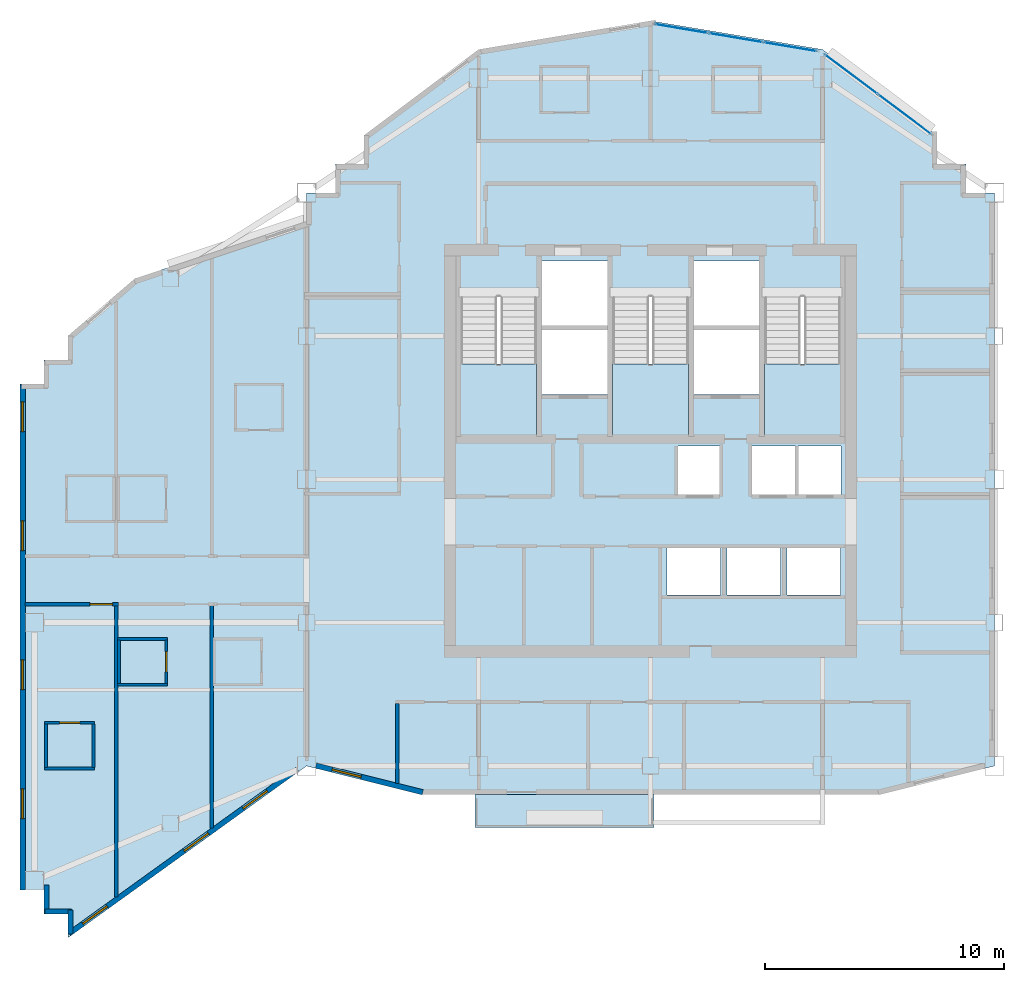
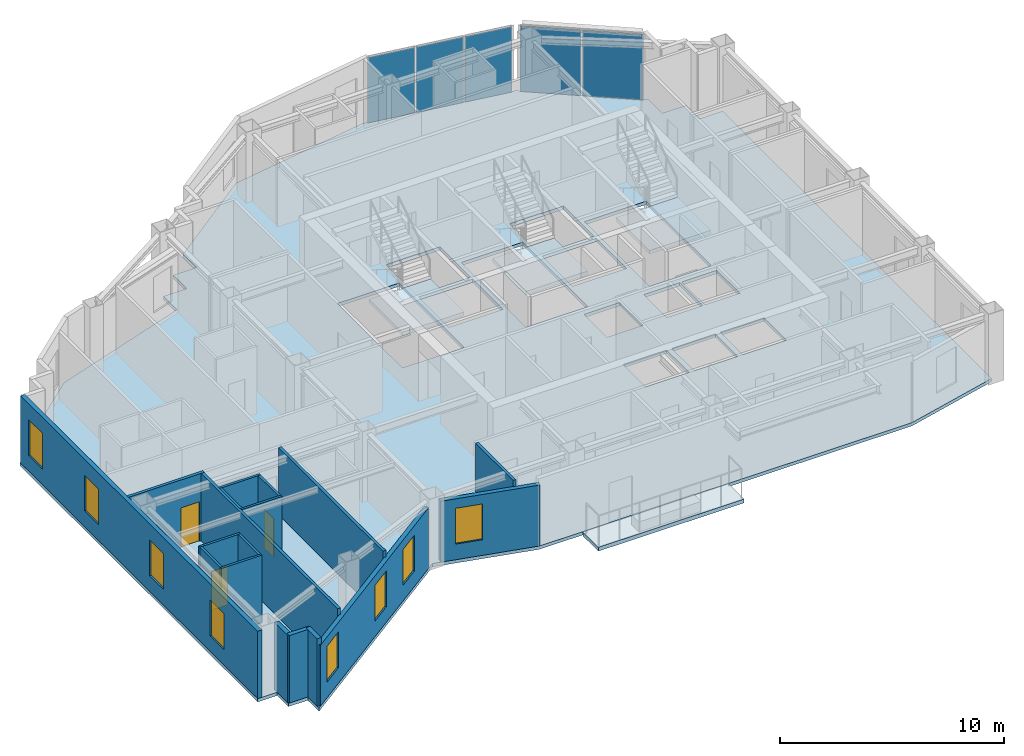
# One storey, part 4 of 11: 18 walls, 8 windows, 5 plates, 5 slabs, 3 doors, 11 openings, 5 elements without a shape of their own.
"""IFC4 building model written with IfcOpenShell, lengths in metres."""

from ifc_helpers import new_model, si_unit, direction, frame, frame_2d, origin, origin_2d, place, context, subcontext, project, spatial, polyline, rectangle, outline, extrude, material, layer, layer_set, type_object, element, fill, aggregate, save


model = new_model("IFC4")

# Units and contexts
model_context = context("Model", 3, precision=1e-05, world=origin(), true_north=direction((0.0, 1.0)))
body_context = subcontext(model_context, "Body", "Model", "MODEL_VIEW")
ifc_project = project(units=[si_unit("LENGTHUNIT", "METRE"), si_unit("AREAUNIT", "SQUARE_METRE"), si_unit("VOLUMEUNIT", "CUBIC_METRE"), si_unit("PLANEANGLEUNIT", "RADIAN"), si_unit("MASSUNIT", "GRAM", prefix="KILO")], contexts=[model_context])

# Site, building, storey
site_placement = place(None, origin())
site = spatial("IfcSite", under=ifc_project, at=site_placement, CompositionType="ELEMENT")
building_placement = place(site_placement, origin())
building = spatial("IfcBuilding", under=site, at=building_placement, Name="Haolan Belvedere Tower", CompositionType="ELEMENT")
storey_placement = place(building_placement, frame((0.0, 0.0, 254.449951171875)))
storey = spatial("IfcBuildingStorey", under=building, at=storey_placement, Name="L64", CompositionType="ELEMENT", Elevation=254.449951171875)

# Curtain wall, plates
ifc_material_1 = material(Name="Anodised champagne-silver aluminium 6063-T6 and Low-E glass", Category="aluminium")
ifc_layer_1 = layer(ifc_material_1, 0.14501953125, Name="Anodised champagne-silver aluminium 6063-T6 and Low-E glass")
ifc_layer_set_1 = layer_set([ifc_layer_1], Name="Anodised champagne-silver aluminium 6063-T6 and Low-E glass")
curtain_wall_type = type_object("IfcCurtainWallType", Name="CW-SYS-05", PredefinedType="NOTDEFINED", material=ifc_layer_set_1)
curtain_wall_1_placement = place(storey_placement, origin())
curtain_wall_1 = element("IfcCurtainWall", 1, at=curtain_wall_1_placement, inside=storey, type_object=curtain_wall_type, Name="L64 CW-SYS-05 ribbon curtain wall 8.1", PredefinedType="NOTDEFINED")
ifc_material_2 = material(Name="Double silver Low-E laminated insulating glass", Category="glass")
ifc_layer_2 = layer(ifc_material_2, 0.02197265625, Name="Double silver Low-E laminated insulating glass")
ifc_layer_set_2 = layer_set([ifc_layer_2], Name="Double silver Low-E laminated insulating glass")
plate_type = type_object("IfcPlateType", Name="CW-SYS-05-PNL", PredefinedType="CURTAIN_PANEL", material=ifc_layer_set_2)
plate_1_placement = place(storey_placement, frame((49.03955078125, 48.8828125, 0.0498046875), z_axis=(0.0, 0.0, 1.0), x_axis=(-0.799997871638, 0.600002837806, 0.0)))
plate_1 = element("IfcPlate", 2, at=plate_1_placement, type_object=plate_type, Name="CW-05 panel 1.1", PredefinedType="CURTAIN_PANEL", context=body_context, shape_type="SweptSolid", body=[
    extrude(rectangle(XDim=2.738037109375, YDim=0.02197265625, at=origin_2d()), origin(), (0.0, 0.0, 1.0), 3.570068359375),
])
plate_2_placement = place(storey_placement, frame((46.805908203125, 50.55810546875, 0.0498046875), z_axis=(0.0, 0.0, 1.0), x_axis=(-0.799997871638, 0.600002837806, 0.0)))
plate_2 = element("IfcPlate", 3, at=plate_2_placement, type_object=plate_type, Name="CW-05 panel 2.1", PredefinedType="CURTAIN_PANEL", context=body_context, shape_type="SweptSolid", body=[
    extrude(rectangle(XDim=2.738037109375, YDim=0.02197265625, at=origin_2d()), origin(), (0.0, 0.0, 1.0), 3.570068359375),
])
aggregate(curtain_wall_1, [plate_1, plate_2])

curtain_wall_2_placement = place(storey_placement, origin())
curtain_wall_2 = element("IfcCurtainWall", 4, at=curtain_wall_2_placement, inside=storey, type_object=curtain_wall_type, Name="L64 CW-SYS-05 ribbon curtain wall 9.1", PredefinedType="NOTDEFINED")
plate_3_placement = place(storey_placement, frame((44.257568359375, 51.712158203125, 0.0498046875), z_axis=(0.0, 0.0, 1.0), x_axis=(-0.98639276122, 0.164405962825, 0.0)))
plate_3 = element("IfcPlate", 5, at=plate_3_placement, type_object=plate_type, Name="CW-05 panel 1.1", PredefinedType="CURTAIN_PANEL", context=body_context, shape_type="SweptSolid", body=[
    extrude(rectangle(XDim=2.24365234375, YDim=0.02197265625, at=origin_2d()), origin(), (0.0, 0.0, 1.0), 3.570068359375),
])
plate_4_placement = place(storey_placement, frame((41.977783203125, 52.09228515625, 0.0498046875), z_axis=(0.0, 0.0, 1.0), x_axis=(-0.98639276122, 0.164405962825, 0.0)))
plate_4 = element("IfcPlate", 6, at=plate_4_placement, type_object=plate_type, Name="CW-05 panel 2.1", PredefinedType="CURTAIN_PANEL", context=body_context, shape_type="SweptSolid", body=[
    extrude(rectangle(XDim=2.270751953125, YDim=0.02197265625, at=origin_2d()), origin(), (0.0, 0.0, 1.0), 3.570068359375),
])
plate_5_placement = place(storey_placement, frame((39.697998046875, 52.47216796875, 0.0498046875), z_axis=(0.0, 0.0, 1.0), x_axis=(-0.98639276122, 0.164405962825, 0.0)))
plate_5 = element("IfcPlate", 7, at=plate_5_placement, type_object=plate_type, Name="CW-05 panel 3.1", PredefinedType="CURTAIN_PANEL", context=body_context, shape_type="SweptSolid", body=[
    extrude(rectangle(XDim=2.24365234375, YDim=0.02197265625, at=origin_2d()), origin(), (0.0, 0.0, 1.0), 3.570068359375),
])
aggregate(curtain_wall_2, [plate_3, plate_4, plate_5])

# Slabs
ifc_material_3 = material(Name="Concrete C40/50", Category="concrete")
ifc_layer_3 = layer(ifc_material_3, 0.2099609375, Name="Concrete C40/50")
ifc_layer_set_3 = layer_set([ifc_layer_3], Name="Concrete C40/50")
slab_type_1 = type_object("IfcSlabType", Name="SL-BAL-210", PredefinedType="FLOOR", material=ifc_layer_set_3)
slab_1_placement = place(storey_placement, frame((0.0, 0.0, -0.22998046875)))
element("IfcSlab", 8, at=slab_1_placement, inside=storey, type_object=slab_type_1, Name="L64 structural tree-planter balcony slab BAL-L64-S1", PredefinedType="FLOOR", context=body_context, shape_type="SweptSolid", body=[
    extrude(outline(polyline([(31.050048828125, 19.02001953125), (38.550048828125, 19.02001953125), (38.550048828125, 20.39990234375), (31.050048828125, 20.39990234375), (31.050048828125, 19.02001953125)])), origin(), (0.0, 0.0, 1.0), 0.2099609375),
])
ifc_layer_4 = layer(ifc_material_3, 0.179931640625, Name="Concrete C40/50")
ifc_layer_set_4 = layer_set([ifc_layer_4], Name="Concrete C40/50")
slab_type_2 = type_object("IfcSlabType", Name="SL-FLR-180", PredefinedType="FLOOR", material=ifc_layer_set_4)
slab_2_placement = place(storey_placement, frame((0.0, 0.0, -0.179931640625)))
element("IfcSlab", 9, at=slab_2_placement, inside=storey, type_object=slab_type_2, Name="L64 structural floor slab", PredefinedType="FLOOR", context=body_context, shape_type="SweptSolid", body=[
    extrude(outline(polyline([(24.0, 21.60009765625), (28.800048828125, 20.39990234375), (48.0, 20.39990234375), (52.800048828125, 21.60009765625), (52.800048828125, 45.60009765625), (51.60009765625, 45.60009765625), (51.60009765625, 46.800048828125), (50.39990234375, 46.800048828125), (50.39990234375, 48.0), (45.60009765625, 51.60009765625), (38.39990234375, 52.800048828125), (31.199951171875, 51.60009765625), (26.39990234375, 48.0), (26.39990234375, 46.800048828125), (25.199951171875, 46.800048828125), (25.199951171875, 45.60009765625), (24.0, 45.60009765625), (24.0, 44.39990234375), (16.800048828125, 42.0), (14.0, 39.60009765625), (14.0, 38.60009765625), (13.0, 38.60009765625), (13.0, 37.60009765625), (12.0, 37.60009765625), (12.0, 16.800048828125), (12.0, 16.39990234375), (13.0, 16.39990234375), (13.0, 15.39990234375), (14.0, 15.39990234375), (14.0, 14.39990234375), (24.0, 21.60009765625)]), holes=[polyline([(30.449951171875, 41.22998046875), (30.449951171875, 35.449951171875), (33.6298828125, 35.449951171875), (33.6298828125, 41.22998046875), (30.449951171875, 41.22998046875)]), polyline([(36.81005859375, 41.22998046875), (36.81005859375, 35.449951171875), (39.989990234375, 35.449951171875), (39.989990234375, 41.22998046875), (36.81005859375, 41.22998046875)]), polyline([(43.169921875, 41.22998046875), (43.169921875, 35.449951171875), (46.35009765625, 35.449951171875), (46.35009765625, 41.22998046875), (43.169921875, 41.22998046875)]), polyline([(33.830078125, 40.050048828125), (36.610107421875, 40.050048828125), (36.610107421875, 42.75), (33.830078125, 42.75), (33.830078125, 40.050048828125)]), polyline([(33.830078125, 37.14990234375), (36.610107421875, 37.14990234375), (36.610107421875, 39.85009765625), (33.830078125, 39.85009765625), (33.830078125, 37.14990234375)]), polyline([(40.18994140625, 40.050048828125), (42.969970703125, 40.050048828125), (42.969970703125, 42.75), (40.18994140625, 42.75), (40.18994140625, 40.050048828125)]), polyline([(40.18994140625, 37.14990234375), (42.969970703125, 37.14990234375), (42.969970703125, 39.85009765625), (40.18994140625, 39.85009765625), (40.18994140625, 37.14990234375)]), polyline([(39.5400390625, 32.949951171875), (41.389892578125, 32.949951171875), (41.389892578125, 35.0), (39.5400390625, 35.0), (39.5400390625, 32.949951171875)]), polyline([(42.6201171875, 32.949951171875), (44.469970703125, 32.949951171875), (44.469970703125, 35.0), (42.6201171875, 35.0), (42.6201171875, 32.949951171875)]), polyline([(44.580078125, 32.949951171875), (46.3798828125, 32.949951171875), (46.3798828125, 35.0), (44.580078125, 35.0), (44.580078125, 32.949951171875)]), polyline([(39.10009765625, 28.75), (41.340087890625, 28.75), (41.340087890625, 30.75), (39.10009765625, 30.75), (39.10009765625, 28.75)]), polyline([(41.610107421875, 28.75), (43.85009765625, 28.75), (43.85009765625, 30.75), (41.610107421875, 30.75), (41.610107421875, 28.75)]), polyline([(44.1201171875, 28.75), (46.360107421875, 28.75), (46.360107421875, 30.75), (44.1201171875, 30.75), (44.1201171875, 28.75)])]), origin(), (0.0, 0.0, 1.0), 0.179931640625),
])

# Stair, slab
stair_type = type_object("IfcStairType", Name="STR-DL-22R-175", PredefinedType="HALF_TURN_STAIR", material=ifc_material_3)
stair_1_placement = place(storey_placement, origin())
stair_1 = element("IfcStair", 10, at=stair_1_placement, inside=storey, type_object=stair_type, Name="L64 Smokeproof Core Exit Stair ST1", PredefinedType="HALF_TURN_STAIR")
ifc_layer_5 = layer(ifc_material_3, 0.199951171875, Name="Concrete C40/50")
ifc_layer_set_5 = layer_set([ifc_layer_5], Name="Concrete C40/50")
slab_type_3 = type_object("IfcSlabType", Name="SL-LAND-200", PredefinedType="LANDING", material=ifc_layer_set_5)
slab_3_placement = place(storey_placement, frame((0.0, 0.0, 1.72509765625)))
slab_3 = element("IfcSlab", 11, at=slab_3_placement, type_object=slab_type_3, Name="ST1 landing 1", PredefinedType="LANDING", context=body_context, shape_type="SweptSolid", body=[
    extrude(outline(polyline([(30.449951171875, 38.429931640625), (30.449951171875, 35.449951171875), (33.6298828125, 35.449951171875), (33.6298828125, 38.429931640625), (30.449951171875, 38.429931640625)])), origin(), (0.0, 0.0, 1.0), 0.199951171875),
])
aggregate(stair_1, [slab_3])

stair_2_placement = place(storey_placement, origin())
stair_2 = element("IfcStair", 12, at=stair_2_placement, inside=storey, type_object=stair_type, Name="L64 Smokeproof Core Exit Stair ST3", PredefinedType="HALF_TURN_STAIR")
slab_4_placement = place(storey_placement, frame((0.0, 0.0, 1.72509765625)))
slab_4 = element("IfcSlab", 13, at=slab_4_placement, type_object=slab_type_3, Name="ST3 landing 1", PredefinedType="LANDING", context=body_context, shape_type="SweptSolid", body=[
    extrude(outline(polyline([(36.81005859375, 38.429931640625), (36.81005859375, 35.449951171875), (39.989990234375, 35.449951171875), (39.989990234375, 38.429931640625), (36.81005859375, 38.429931640625)])), origin(), (0.0, 0.0, 1.0), 0.199951171875),
])
aggregate(stair_2, [slab_4])

stair_3_placement = place(storey_placement, origin())
stair_3 = element("IfcStair", 14, at=stair_3_placement, inside=storey, type_object=stair_type, Name="L64 Smokeproof Core Exit Stair ST2", PredefinedType="HALF_TURN_STAIR")
slab_5_placement = place(storey_placement, frame((0.0, 0.0, 1.72509765625)))
slab_5 = element("IfcSlab", 15, at=slab_5_placement, type_object=slab_type_3, Name="ST2 landing 1", PredefinedType="LANDING", context=body_context, shape_type="SweptSolid", body=[
    extrude(outline(polyline([(43.169921875, 38.429931640625), (43.169921875, 35.449951171875), (46.35009765625, 35.449951171875), (46.35009765625, 38.429931640625), (43.169921875, 38.429931640625)])), origin(), (0.0, 0.0, 1.0), 0.199951171875),
])
aggregate(stair_3, [slab_5])

# Wall, openings, windows
ifc_material_4 = material(Name="Precast concrete C40/50", Category="concrete")
ifc_layer_6 = layer(ifc_material_4, 0.219970703125, Name="Precast concrete C40/50")
ifc_layer_set_6 = layer_set([ifc_layer_6], Name="Precast concrete C40/50")
wall_type_1 = type_object("IfcWallType", Name="WL-EXT-220", PredefinedType="SOLIDWALL", material=ifc_layer_set_6)
wall_1_placement = place(storey_placement, frame((12.110107421875, 37.544921875, 0.0), z_axis=(0.0, 0.0, 1.0), x_axis=(0.0, -1.0, 0.0)))
wall_1 = element("IfcWall", 16, at=wall_1_placement, inside=storey, type_object=wall_type_1, Name="L64 pale-metal exterior spandrel wall 23.1", PredefinedType="SOLIDWALL", context=body_context, shape_type="SweptSolid", body=[
    extrude(rectangle(XDim=21.14501953125, YDim=0.219970703125, at=frame_2d((10.572509765625, 0.0))), origin(), (0.0, 0.0, 1.0), 3.670166015625),
])
opening_1_placement = place(wall_1_placement, frame((0.699951171875, 0.0, 0.85009765625)))
opening_1 = element("IfcOpeningElement", 17, at=opening_1_placement, cuts=wall_1, Name="Opening W-04", PredefinedType="OPENING", context=body_context, shape_type="SweptSolid", body=[
    extrude(rectangle(XDim=1.25, YDim=1.949951171875, at=frame_2d((0.625, 0.97509765625))), frame((0.0, 0.119873046875, 0.0), z_axis=(0.0, -1.0, 0.0), x_axis=(1.0, 0.0, 0.0)), (0.0, 0.0, 1.0), 0.239990234375),
])
opening_2_placement = place(wall_1_placement, frame((5.679931640625, 0.0, 0.85009765625)))
opening_2 = element("IfcOpeningElement", 18, at=opening_2_placement, cuts=wall_1, Name="Opening W-04", PredefinedType="OPENING", context=body_context, shape_type="SweptSolid", body=[
    extrude(rectangle(XDim=1.25, YDim=1.949951171875, at=frame_2d((0.625, 0.97509765625))), frame((0.0, 0.119873046875, 0.0), z_axis=(0.0, -1.0, 0.0), x_axis=(1.0, 0.0, 0.0)), (0.0, 0.0, 1.0), 0.239990234375),
])
opening_3_placement = place(wall_1_placement, frame((11.5, 0.0, 0.85009765625)))
opening_3 = element("IfcOpeningElement", 19, at=opening_3_placement, cuts=wall_1, Name="Opening W-04", PredefinedType="OPENING", context=body_context, shape_type="SweptSolid", body=[
    extrude(rectangle(XDim=1.25, YDim=1.949951171875, at=frame_2d((0.625, 0.97509765625))), frame((0.0, 0.119873046875, 0.0), z_axis=(0.0, -1.0, 0.0), x_axis=(1.0, 0.0, 0.0)), (0.0, 0.0, 1.0), 0.239990234375),
])
opening_4_placement = place(wall_1_placement, frame((16.89990234375, 0.0, 0.85009765625)))
opening_4 = element("IfcOpeningElement", 20, at=opening_4_placement, cuts=wall_1, Name="Opening W-04", PredefinedType="OPENING", context=body_context, shape_type="SweptSolid", body=[
    extrude(rectangle(XDim=1.25, YDim=1.949951171875, at=frame_2d((0.625, 0.97509765625))), frame((0.0, 0.119873046875, 0.0), z_axis=(0.0, -1.0, 0.0), x_axis=(1.0, 0.0, 0.0)), (0.0, 0.0, 1.0), 0.239990234375),
])
ifc_material_5 = material(Name="Anodised aluminium 6063-T6 and Low-E glass", Category="aluminium")
window_type = type_object("IfcWindowType", Name="WN-DECO-Z4", PartitioningType="SINGLE_PANEL", PredefinedType="WINDOW", material=ifc_material_5)
window_1_placement = place(opening_1_placement, origin())
window_1 = element("IfcWindow", 21, at=window_1_placement, inside=storey, type_object=window_type, Name="L64 Art Deco chevron window 1", OverallHeight=1.949951171875, OverallWidth=1.25, PartitioningType="SINGLE_PANEL", PredefinedType="WINDOW", context=body_context, shape_type="SweptSolid", body=[
    extrude(rectangle(XDim=1.25, YDim=1.949951171875, at=frame_2d((0.625, 0.97509765625))), frame((0.0, 0.030029296875, 0.0), z_axis=(0.0, -1.0, 0.0), x_axis=(1.0, 0.0, 0.0)), (0.0, 0.0, 1.0), 0.06005859375),
])
fill(opening_1, window_1)
window_2_placement = place(opening_2_placement, origin())
window_2 = element("IfcWindow", 22, at=window_2_placement, inside=storey, type_object=window_type, Name="L64 Art Deco chevron window 2", OverallHeight=1.949951171875, OverallWidth=1.25, PartitioningType="SINGLE_PANEL", PredefinedType="WINDOW", context=body_context, shape_type="SweptSolid", body=[
    extrude(rectangle(XDim=1.25, YDim=1.949951171875, at=frame_2d((0.625, 0.97509765625))), frame((0.0, 0.030029296875, 0.0), z_axis=(0.0, -1.0, 0.0), x_axis=(1.0, 0.0, 0.0)), (0.0, 0.0, 1.0), 0.06005859375),
])
fill(opening_2, window_2)
window_3_placement = place(opening_3_placement, origin())
window_3 = element("IfcWindow", 23, at=window_3_placement, inside=storey, type_object=window_type, Name="L64 Art Deco chevron window 3", OverallHeight=1.949951171875, OverallWidth=1.25, PartitioningType="SINGLE_PANEL", PredefinedType="WINDOW", context=body_context, shape_type="SweptSolid", body=[
    extrude(rectangle(XDim=1.25, YDim=1.949951171875, at=frame_2d((0.625, 0.97509765625))), frame((0.0, 0.030029296875, 0.0), z_axis=(0.0, -1.0, 0.0), x_axis=(1.0, 0.0, 0.0)), (0.0, 0.0, 1.0), 0.06005859375),
])
fill(opening_3, window_3)
window_4_placement = place(opening_4_placement, origin())
window_4 = element("IfcWindow", 24, at=window_4_placement, inside=storey, type_object=window_type, Name="L64 Art Deco chevron window 4", OverallHeight=1.949951171875, OverallWidth=1.25, PartitioningType="SINGLE_PANEL", PredefinedType="WINDOW", context=body_context, shape_type="SweptSolid", body=[
    extrude(rectangle(XDim=1.25, YDim=1.949951171875, at=frame_2d((0.625, 0.97509765625))), frame((0.0, 0.030029296875, 0.0), z_axis=(0.0, -1.0, 0.0), x_axis=(1.0, 0.0, 0.0)), (0.0, 0.0, 1.0), 0.06005859375),
])
fill(opening_4, window_4)

# Walls
wall_2_placement = place(storey_placement, frame((13.110107421875, 16.6201171875, 0.0), z_axis=(0.0, 0.0, 1.0), x_axis=(0.0, -1.0, 0.0)))
element("IfcWall", 25, at=wall_2_placement, inside=storey, type_object=wall_type_1, Name="L64 pale-metal exterior spandrel wall 25.1", PredefinedType="SOLIDWALL", context=body_context, shape_type="SweptSolid", body=[
    extrude(rectangle(XDim=1.1650390625, YDim=0.219970703125, at=frame_2d((0.58251953125, 0.0))), origin(), (0.0, 0.0, 1.0), 3.670166015625),
])
wall_3_placement = place(storey_placement, frame((13.054931640625, 15.510009765625, 0.0), z_axis=(0.0, 0.0, 1.0), x_axis=(1.0, 0.0, 0.0)))
element("IfcWall", 26, at=wall_3_placement, inside=storey, type_object=wall_type_1, Name="L64 pale-metal exterior spandrel wall 26.1", PredefinedType="SOLIDWALL", context=body_context, shape_type="SweptSolid", body=[
    extrude(rectangle(XDim=1.110107421875, YDim=0.219970703125, at=frame_2d((0.55517578125, 0.0))), origin(), (0.0, 0.0, 1.0), 3.670166015625),
])
wall_4_placement = place(storey_placement, frame((14.110107421875, 15.56494140625, 0.0), z_axis=(0.0, 0.0, 1.0), x_axis=(0.0, -1.0, 0.0)))
element("IfcWall", 27, at=wall_4_placement, inside=storey, type_object=wall_type_1, Name="L64 pale-metal exterior spandrel wall 27.1", PredefinedType="SOLIDWALL", context=body_context, shape_type="SweptSolid", body=[
    extrude(rectangle(XDim=1.005126953125, YDim=0.219970703125, at=frame_2d((0.50244140625, 0.0))), origin(), (0.0, 0.0, 1.0), 3.670166015625),
])

# Wall, openings, windows
wall_5_placement = place(storey_placement, frame((14.0654296875, 14.58251953125, 0.0), z_axis=(0.0, 0.0, 1.0), x_axis=(0.811523708458, 0.584319493608, 0.0)))
wall_5 = element("IfcWall", 28, at=wall_5_placement, inside=storey, type_object=wall_type_1, Name="L64 pale-metal exterior spandrel wall 28.1", PredefinedType="SOLIDWALL", context=body_context, shape_type="SweptSolid", body=[
    extrude(rectangle(XDim=11.7587890625, YDim=0.219970703125, at=frame_2d((5.87939453125, 0.0))), origin(), (0.0, 0.0, 1.0), 3.31494140625),
])
opening_5_placement = place(wall_5_placement, frame((0.699951171875, 0.0, 0.85009765625)))
opening_5 = element("IfcOpeningElement", 29, at=opening_5_placement, cuts=wall_5, Name="Opening W-04", PredefinedType="OPENING", context=body_context, shape_type="SweptSolid", body=[
    extrude(rectangle(XDim=1.25, YDim=1.949951171875, at=frame_2d((0.625, 0.97509765625))), frame((0.0, 0.119873046875, 0.0), z_axis=(0.0, -1.0, 0.0), x_axis=(1.0, 0.0, 0.0)), (0.0, 0.0, 1.0), 0.239990234375),
])
opening_6_placement = place(wall_5_placement, frame((5.92578125, 0.0, 0.85009765625)))
opening_6 = element("IfcOpeningElement", 30, at=opening_6_placement, cuts=wall_5, Name="Opening W-04", PredefinedType="OPENING", context=body_context, shape_type="SweptSolid", body=[
    extrude(rectangle(XDim=1.25, YDim=1.949951171875, at=frame_2d((0.625, 0.97509765625))), frame((0.0, 0.119873046875, 0.0), z_axis=(0.0, -1.0, 0.0), x_axis=(1.0, 0.0, 0.0)), (0.0, 0.0, 1.0), 0.239990234375),
])
opening_7_placement = place(wall_5_placement, frame((8.966552734375, 0.0, 0.85009765625)))
opening_7 = element("IfcOpeningElement", 31, at=opening_7_placement, cuts=wall_5, Name="Opening W-04", PredefinedType="OPENING", context=body_context, shape_type="SweptSolid", body=[
    extrude(rectangle(XDim=1.25, YDim=1.949951171875, at=frame_2d((0.625, 0.97509765625))), frame((0.0, 0.119873046875, 0.0), z_axis=(0.0, -1.0, 0.0), x_axis=(1.0, 0.0, 0.0)), (0.0, 0.0, 1.0), 0.239990234375),
])
window_5_placement = place(opening_5_placement, origin())
window_5 = element("IfcWindow", 32, at=window_5_placement, inside=storey, type_object=window_type, Name="L64 Art Deco chevron window 1", OverallHeight=1.949951171875, OverallWidth=1.25, PartitioningType="SINGLE_PANEL", PredefinedType="WINDOW", context=body_context, shape_type="SweptSolid", body=[
    extrude(rectangle(XDim=1.25, YDim=1.949951171875, at=frame_2d((0.625, 0.97509765625))), frame((0.0, 0.030029296875, 0.0), z_axis=(0.0, -1.0, 0.0), x_axis=(1.0, 0.0, 0.0)), (0.0, 0.0, 1.0), 0.06005859375),
])
fill(opening_5, window_5)
window_6_placement = place(opening_6_placement, origin())
window_6 = element("IfcWindow", 33, at=window_6_placement, inside=storey, type_object=window_type, Name="L64 Art Deco chevron window 2", OverallHeight=1.949951171875, OverallWidth=1.25, PartitioningType="SINGLE_PANEL", PredefinedType="WINDOW", context=body_context, shape_type="SweptSolid", body=[
    extrude(rectangle(XDim=1.25, YDim=1.949951171875, at=frame_2d((0.625, 0.97509765625))), frame((0.0, 0.030029296875, 0.0), z_axis=(0.0, -1.0, 0.0), x_axis=(1.0, 0.0, 0.0)), (0.0, 0.0, 1.0), 0.06005859375),
])
fill(opening_6, window_6)
window_7_placement = place(opening_7_placement, origin())
window_7 = element("IfcWindow", 34, at=window_7_placement, inside=storey, type_object=window_type, Name="L64 Art Deco guestroom window 1", OverallHeight=1.949951171875, OverallWidth=1.25, PartitioningType="SINGLE_PANEL", PredefinedType="WINDOW", context=body_context, shape_type="SweptSolid", body=[
    extrude(rectangle(XDim=1.25, YDim=1.949951171875, at=frame_2d((0.625, 0.97509765625))), frame((0.0, 0.030029296875, 0.0), z_axis=(0.0, -1.0, 0.0), x_axis=(1.0, 0.0, 0.0)), (0.0, 0.0, 1.0), 0.06005859375),
])
fill(opening_7, window_7)

# Wall, opening, window
wall_6_placement = place(storey_placement, frame((24.39208984375, 21.615478515625, 0.0), z_axis=(0.0, 0.0, 1.0), x_axis=(0.970133159038, -0.242572986408, 0.0)))
wall_6 = element("IfcWall", 35, at=wall_6_placement, inside=storey, type_object=wall_type_1, Name="L64 pale-metal exterior spandrel wall 29.1", PredefinedType="SOLIDWALL", context=body_context, shape_type="SweptSolid", body=[
    extrude(rectangle(XDim=4.612548828125, YDim=0.219970703125, at=frame_2d((2.30615234375, 0.0))), origin(), (0.0, 0.0, 1.0), 3.31494140625),
])
opening_8_placement = place(wall_6_placement, frame((0.699951171875, 0.0, 0.85009765625)))
opening_8 = element("IfcOpeningElement", 36, at=opening_8_placement, cuts=wall_6, Name="Opening W-04", PredefinedType="OPENING", context=body_context, shape_type="SweptSolid", body=[
    extrude(rectangle(XDim=1.25, YDim=1.949951171875, at=frame_2d((0.625, 0.97509765625))), frame((0.0, 0.119873046875, 0.0), z_axis=(0.0, -1.0, 0.0), x_axis=(1.0, 0.0, 0.0)), (0.0, 0.0, 1.0), 0.239990234375),
])
window_8_placement = place(opening_8_placement, origin())
window_8 = element("IfcWindow", 37, at=window_8_placement, inside=storey, type_object=window_type, Name="L64 Art Deco chevron window 1", OverallHeight=1.949951171875, OverallWidth=1.25, PartitioningType="SINGLE_PANEL", PredefinedType="WINDOW", context=body_context, shape_type="SweptSolid", body=[
    extrude(rectangle(XDim=1.25, YDim=1.949951171875, at=frame_2d((0.625, 0.97509765625))), frame((0.0, 0.030029296875, 0.0), z_axis=(0.0, -1.0, 0.0), x_axis=(1.0, 0.0, 0.0)), (0.0, 0.0, 1.0), 0.06005859375),
])
fill(opening_8, window_8)

# Wall
ifc_material_6 = material(Name="Double gypsum acoustic stud partition", Category="masonry")
ifc_layer_7 = layer(ifc_material_6, 0.14990234375, Name="Double gypsum acoustic stud partition")
ifc_layer_set_7 = layer_set([ifc_layer_7], Name="Double gypsum acoustic stud partition")
wall_type_2 = type_object("IfcWallType", Name="WL-PART-150", PredefinedType="PARTITIONING", material=ifc_layer_set_7)
wall_7_placement = place(storey_placement, frame((27.800048828125, 20.868408203125, 0.0), z_axis=(0.0, 0.0, 1.0), x_axis=(0.0, 1.0, 0.0)))
element("IfcWall", 38, at=wall_7_placement, inside=storey, type_object=wall_type_2, Name="L64 interior partition IW-L64-KS2-W", PredefinedType="PARTITIONING", context=body_context, shape_type="SweptSolid", body=[
    extrude(rectangle(XDim=3.3515625, YDim=0.14990234375, at=frame_2d((1.67578125, 0.0))), origin(), (0.0, 0.0, 1.0), 3.670166015625),
])

# Wall, opening, door
wall_8_placement = place(storey_placement, frame((12.2119140625, 28.3701171875, 0.0), z_axis=(0.0, 0.0, 1.0), x_axis=(1.0, 0.0, 0.0)))
wall_8 = element("IfcWall", 39, at=wall_8_placement, inside=storey, type_object=wall_type_2, Name="L64 interior partition IW-L64-T2S1-N", PredefinedType="PARTITIONING", context=body_context, shape_type="SweptSolid", body=[
    extrude(rectangle(XDim=3.91796875, YDim=0.14990234375, at=frame_2d((1.958984375, 0.0))), origin(), (0.0, 0.0, 1.0), 3.670166015625),
])
opening_9_placement = place(wall_8_placement, frame((3.663330078125, 0.0, 0.0), z_axis=(0.0, 0.0, 1.0), x_axis=(-1.0, 0.0, 0.0)))
opening_9 = element("IfcOpeningElement", 40, at=opening_9_placement, cuts=wall_8, Name="Opening ID-02", PredefinedType="OPENING", context=body_context, shape_type="SweptSolid", body=[
    extrude(rectangle(XDim=0.949951171875, YDim=2.14990234375, at=frame_2d((0.47509765625, 1.074951171875))), frame((0.0, 0.0849609375, 0.0), z_axis=(0.0, -1.0, 0.0), x_axis=(1.0, 0.0, 0.0)), (0.0, 0.0, 1.0), 0.169921875),
])
ifc_material_7 = material(Name="Acoustic oak veneer fire-rated timber", Category="wood")
door_type_1 = type_object("IfcDoorType", Name="DR-GUEST-950", OperationType="NOTDEFINED", PredefinedType="DOOR", material=ifc_material_7)
door_1_placement = place(opening_9_placement, origin())
door_1 = element("IfcDoor", 41, at=door_1_placement, inside=storey, type_object=door_type_1, Name="L64 door ID-L64-T2S1-ENT", OperationType="SINGLE_SWING_RIGHT", OverallHeight=2.14990234375, OverallWidth=0.949951171875, PredefinedType="DOOR", context=body_context, shape_type="SweptSolid", body=[
    extrude(rectangle(XDim=0.949951171875, YDim=2.14990234375, at=frame_2d((0.47509765625, 1.074951171875))), frame((0.0, 0.02490234375, 0.0), z_axis=(0.0, -1.0, 0.0), x_axis=(1.0, 0.0, 0.0)), (0.0, 0.0, 1.0), 0.050048828125),
])
fill(opening_9, door_1)

# Walls
wall_9_placement = place(storey_placement, frame((16.030029296875, 16.122802734375, 0.0), z_axis=(0.0, 0.0, 1.0), x_axis=(0.0, 1.0, 0.0)))
element("IfcWall", 42, at=wall_9_placement, inside=storey, type_object=wall_type_2, Name="L64 interior partition IW-L64-T2S1-E", PredefinedType="PARTITIONING", context=body_context, shape_type="SweptSolid", body=[
    extrude(rectangle(XDim=12.187255859375, YDim=0.14990234375, at=frame_2d((6.09375, 0.0))), origin(), (0.0, 0.0, 1.0), 3.670166015625),
])
wall_10_placement = place(storey_placement, frame((20.02001953125, 18.99560546875, 0.0), z_axis=(0.0, 0.0, 1.0), x_axis=(0.0, 1.0, 0.0)))
element("IfcWall", 43, at=wall_10_placement, inside=storey, type_object=wall_type_2, Name="L64 interior partition IW-L64-T2S2-E", PredefinedType="PARTITIONING", context=body_context, shape_type="SweptSolid", body=[
    extrude(rectangle(XDim=9.314453125, YDim=0.14990234375, at=frame_2d((4.6572265625, 0.0))), origin(), (0.0, 0.0, 1.0), 3.670166015625),
])

# Wall, opening, door
ifc_material_8 = material(Name="Moisture-resistant gypsum tile partition", Category="masonry")
ifc_layer_8 = layer(ifc_material_8, 0.1201171875, Name="Moisture-resistant gypsum tile partition")
ifc_layer_set_8 = layer_set([ifc_layer_8], Name="Moisture-resistant gypsum tile partition")
wall_type_3 = type_object("IfcWallType", Name="WL-WET-120", PredefinedType="PARTITIONING", material=ifc_layer_set_8)
wall_11_placement = place(storey_placement, frame((13.030029296875, 23.409912109375, 0.0), z_axis=(0.0, 0.0, 1.0), x_axis=(1.0, 0.0, 0.0)))
wall_11 = element("IfcWall", 44, at=wall_11_placement, inside=storey, type_object=wall_type_3, Name="L64 interior partition IW-L64-T2S1-BN", PredefinedType="PARTITIONING", context=body_context, shape_type="SweptSolid", body=[
    extrude(rectangle(XDim=2.099853515625, YDim=0.1201171875, at=frame_2d((1.0498046875, 0.0))), origin(), (0.0, 0.0, 1.0), 3.670166015625),
])
opening_10_placement = place(wall_11_placement, frame((1.47509765625, 0.0, 0.0), z_axis=(0.0, 0.0, 1.0), x_axis=(-1.0, 0.0, 0.0)))
opening_10 = element("IfcOpeningElement", 45, at=opening_10_placement, cuts=wall_11, Name="Opening ID-05", PredefinedType="OPENING", context=body_context, shape_type="SweptSolid", body=[
    extrude(rectangle(XDim=0.85009765625, YDim=2.10009765625, at=frame_2d((0.425048828125, 1.050048828125))), frame((0.0, 0.070068359375, 0.0), z_axis=(0.0, -1.0, 0.0), x_axis=(1.0, 0.0, 0.0)), (0.0, 0.0, 1.0), 0.14013671875),
])
ifc_material_9 = material(Name="Moisture-resistant lacquered timber", Category="wood")
door_type_2 = type_object("IfcDoorType", Name="DR-BATH-850", OperationType="NOTDEFINED", PredefinedType="DOOR", material=ifc_material_9)
door_2_placement = place(opening_10_placement, origin())
door_2 = element("IfcDoor", 46, at=door_2_placement, inside=storey, type_object=door_type_2, Name="L64 door ID-L64-T2S1-BATH", OperationType="SINGLE_SWING_LEFT", OverallHeight=2.10009765625, OverallWidth=0.85009765625, PredefinedType="DOOR", context=body_context, shape_type="SweptSolid", body=[
    extrude(rectangle(XDim=0.85009765625, YDim=2.10009765625, at=frame_2d((0.425048828125, 1.050048828125))), frame((0.0, 0.02490234375, 0.0), z_axis=(0.0, -1.0, 0.0), x_axis=(1.0, 0.0, 0.0)), (0.0, 0.0, 1.0), 0.050048828125),
])
fill(opening_10, door_2)

# Walls
wall_12_placement = place(storey_placement, frame((13.030029296875, 21.489990234375, 0.0), z_axis=(0.0, 0.0, 1.0), x_axis=(1.0, 0.0, 0.0)))
element("IfcWall", 47, at=wall_12_placement, inside=storey, type_object=wall_type_3, Name="L64 interior partition IW-L64-T2S1-BS", PredefinedType="PARTITIONING", context=body_context, shape_type="SweptSolid", body=[
    extrude(rectangle(XDim=2.099853515625, YDim=0.1201171875, at=frame_2d((1.0498046875, 0.0))), origin(), (0.0, 0.0, 1.0), 3.670166015625),
])
for number, where, z_axis, x_axis, name in (
    (48, (13.090087890625, 21.534912109375, 0.0), (0.0, 0.0, 1.0), (0.0, 1.0, 0.0), "L64 interior partition IW-L64-T2S1-BW"),
    (49, (15.070068359375, 21.534912109375, 0.0), (0.0, 0.0, 1.0), (0.0, 1.0, 0.0), "L64 interior partition IW-L64-T2S1-BE"),
):
    element("IfcWall", number, at=place(storey_placement, frame(where, z_axis=z_axis, x_axis=x_axis)), inside=storey, type_object=wall_type_3, Name=name, PredefinedType="PARTITIONING", context=body_context, shape_type="SweptSolid", body=[
        extrude(rectangle(XDim=1.830078125, YDim=0.1201171875, at=frame_2d((0.9150390625, 0.0))), origin(), (0.0, 0.0, 1.0), 3.670166015625),
    ])
for number, where, z_axis, x_axis, name in (
    (50, (16.090087890625, 26.919921875, 0.0), (0.0, 0.0, 1.0), (1.0, 0.0, 0.0), "L64 interior partition IW-L64-T2S2-BN"),
    (51, (16.090087890625, 25.0, 0.0), (0.0, 0.0, 1.0), (1.0, 0.0, 0.0), "L64 interior partition IW-L64-T2S2-BS"),
):
    element("IfcWall", number, at=place(storey_placement, frame(where, z_axis=z_axis, x_axis=x_axis)), inside=storey, type_object=wall_type_3, Name=name, PredefinedType="PARTITIONING", context=body_context, shape_type="SweptSolid", body=[
        extrude(rectangle(XDim=2.094970703125, YDim=0.1201171875, at=frame_2d((1.04736328125, 0.0))), origin(), (0.0, 0.0, 1.0), 3.670166015625),
    ])
wall_13_placement = place(storey_placement, frame((16.14501953125, 25.044921875, 0.0), z_axis=(0.0, 0.0, 1.0), x_axis=(0.0, 1.0, 0.0)))
element("IfcWall", 52, at=wall_13_placement, inside=storey, type_object=wall_type_3, Name="L64 interior partition IW-L64-T2S2-BW", PredefinedType="PARTITIONING", context=body_context, shape_type="SweptSolid", body=[
    extrude(rectangle(XDim=1.830078125, YDim=0.1201171875, at=frame_2d((0.9150390625, 0.0))), origin(), (0.0, 0.0, 1.0), 3.670166015625),
])

# Wall, opening, door
wall_14_placement = place(storey_placement, frame((18.125, 25.044921875, 0.0), z_axis=(0.0, 0.0, 1.0), x_axis=(0.0, 1.0, 0.0)))
wall_14 = element("IfcWall", 53, at=wall_14_placement, inside=storey, type_object=wall_type_3, Name="L64 interior partition IW-L64-T2S2-BE", PredefinedType="PARTITIONING", context=body_context, shape_type="SweptSolid", body=[
    extrude(rectangle(XDim=1.830078125, YDim=0.1201171875, at=frame_2d((0.9150390625, 0.0))), origin(), (0.0, 0.0, 1.0), 3.670166015625),
])
opening_11_placement = place(wall_14_placement, frame((0.489990234375, 0.0, 0.0)))
opening_11 = element("IfcOpeningElement", 54, at=opening_11_placement, cuts=wall_14, Name="Opening ID-05", PredefinedType="OPENING", context=body_context, shape_type="SweptSolid", body=[
    extrude(rectangle(XDim=0.85009765625, YDim=2.10009765625, at=frame_2d((0.425048828125, 1.050048828125))), frame((0.0, 0.070068359375, 0.0), z_axis=(0.0, -1.0, 0.0), x_axis=(1.0, 0.0, 0.0)), (0.0, 0.0, 1.0), 0.14013671875),
])
door_3_placement = place(opening_11_placement, origin())
door_3 = element("IfcDoor", 55, at=door_3_placement, inside=storey, type_object=door_type_2, Name="L64 door ID-L64-T2S2-BATH", OperationType="SINGLE_SWING_RIGHT", OverallHeight=2.10009765625, OverallWidth=0.85009765625, PredefinedType="DOOR", context=body_context, shape_type="SweptSolid", body=[
    extrude(rectangle(XDim=0.85009765625, YDim=2.10009765625, at=frame_2d((0.425048828125, 1.050048828125))), frame((0.0, 0.02490234375, 0.0), z_axis=(0.0, -1.0, 0.0), x_axis=(1.0, 0.0, 0.0)), (0.0, 0.0, 1.0), 0.050048828125),
])
fill(opening_11, door_3)

save(model, "model.ifc")
